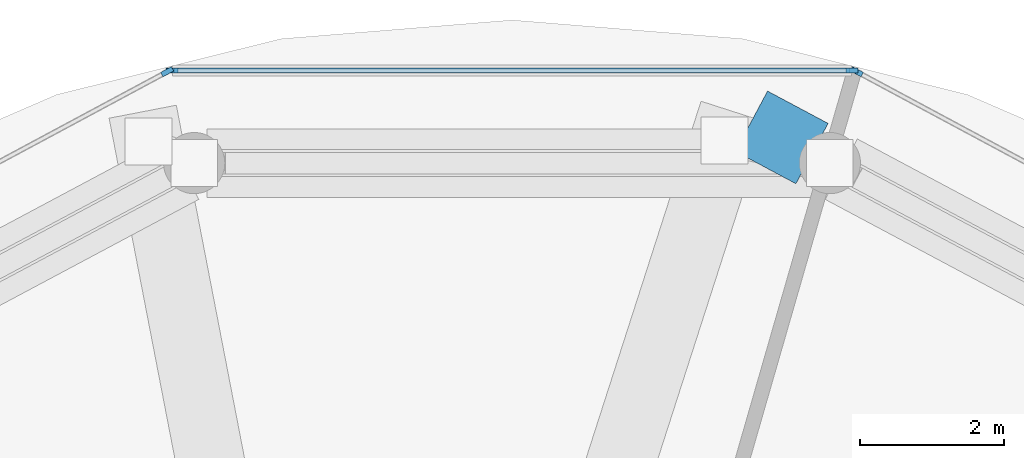
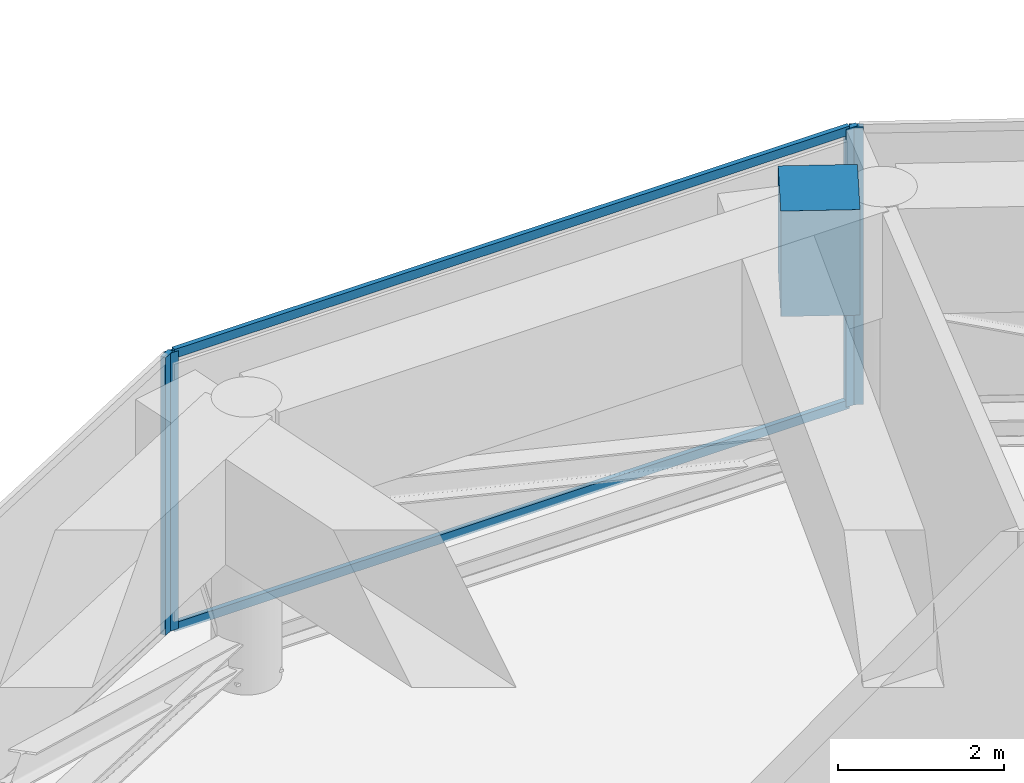
# One storey, part 9 of 23: 6 members, 1 beam, 3 elements without a shape of their own.
"""IFC4 building model written with IfcOpenShell, lengths in metres."""

from ifc_helpers import new_model, si_unit, direction, frame, origin, origin_2d, place, context, subcontext, project, spatial, rectangle, extrude, source, transform, mapped, material, layer, layer_set, material_profile, profile_set, type_object, type_shapes, element, aggregate, save


model = new_model("IFC4")

# Units and contexts
model_context = context("Model", 3, precision=1e-05, world=origin(), true_north=direction((0.0, 1.0)))
body_context = subcontext(model_context, "Body", "Model", "MODEL_VIEW")
ifc_project = project(units=[si_unit("LENGTHUNIT", "METRE"), si_unit("AREAUNIT", "SQUARE_METRE"), si_unit("VOLUMEUNIT", "CUBIC_METRE"), si_unit("PLANEANGLEUNIT", "RADIAN"), si_unit("MASSUNIT", "GRAM", prefix="KILO")], contexts=[model_context])

# Site, building, storey
site_placement = place(None, origin())
site = spatial("IfcSite", under=ifc_project, at=site_placement, CompositionType="ELEMENT")
building_placement = place(site_placement, origin())
building = spatial("IfcBuilding", under=site, at=building_placement, Name="Norrkilde Senior Care Towers", CompositionType="ELEMENT")
storey_placement = place(building_placement, frame((0.0, 0.0, 129.800048828125)))
storey = spatial("IfcBuildingStorey", under=building, at=storey_placement, Name="L40", CompositionType="ELEMENT", Elevation=129.800048828125)

# Beam
ifc_material_1 = material(Name="Concrete C60/75", Category="concrete")
ifc_material_profile_1 = material_profile(ifc_material_1, rectangle(XDim=0.949951171875, YDim=1.550048828125, at=origin_2d()), Name="RC TG 950x1550")
ifc_profile_set_1 = profile_set([ifc_material_profile_1], Name="Concrete C60/75")
beam_type = type_object("IfcBeamType", Name="Transfer Girder Zone Shift 950x1550", PredefinedType="USERDEFINED", material=ifc_profile_set_1)
shared_shape_1 = source(origin(), body_context, "Body", "SweptSolid", [
    extrude(rectangle(XDim=0.949951171875, YDim=1.550048828125, at=origin_2d()), origin(), (0.0, 0.0, 1.0), 0.953857421875),
])
type_shapes(beam_type, [shared_shape_1])
beam_placement = place(storey_placement, frame((-22.625732421875, 15.79443359375, 3.304931640625), z_axis=(0.882182855478, -0.470907007276, 0.0), x_axis=(0.470907007276, 0.882182855478, 0.0)))
element("IfcBeam", 1, at=beam_placement, inside=storey, type_object=beam_type, Name="L40 Drum W Zone Star Transfer Tie 03", ObjectType="GIRDER", PredefinedType="USERDEFINED", context=body_context, shape_type="MappedRepresentation", body=[
    mapped(shared_shape_1, transform((0.0, 0.0, 0.0), x_axis=(1.0, 0.0, 0.0), y_axis=(0.0, 1.0, 0.0), z_axis=(0.0, 0.0, 1.0), scale=1.0)),
])

# Curtain wall, member
ifc_material_2 = material(Name="Triple Low-E Insulated Glazing", Category="glass")
ifc_layer = layer(ifc_material_2, 0.18505859375)
ifc_layer_set = layer_set([ifc_layer], Name="Triple Low-E Insulated Glazing")
curtain_wall_type = type_object("IfcCurtainWallType", Name="CW6 Zone 4 Crown Pavilion Curtain Wall", PredefinedType="NOTDEFINED", material=ifc_layer_set)
curtain_wall_1_placement = place(storey_placement, origin())
curtain_wall_1 = element("IfcCurtainWall", 2, at=curtain_wall_1_placement, inside=storey, type_object=curtain_wall_type, Name="L40 Drum W Curtain Wall 01", PredefinedType="NOTDEFINED")
ifc_material_3 = material(Name="Anodised Aluminium", Category="aluminium")
ifc_material_profile_2 = material_profile(ifc_material_3, rectangle(XDim=0.070068359375, YDim=0.169921875, at=origin_2d()), Name="ALU MULL 70x170")
ifc_profile_set_2 = profile_set([ifc_material_profile_2], Name="Anodised Aluminium")
member_type_1 = type_object("IfcMemberType", Name="Curtain Wall Mullion Heavy 70x170", PredefinedType="MULLION", material=ifc_profile_set_2)
shared_shape_2 = source(origin(), body_context, "Body", "SweptSolid", [
    extrude(rectangle(XDim=0.070068359375, YDim=0.169921875, at=origin_2d()), origin(), (0.0, 0.0, 1.0), 4.079833984375),
])
type_shapes(member_type_1, [shared_shape_2])
member_1_placement = place(storey_placement, frame((-21.162109375, 16.4814453125, 0.0), z_axis=(0.0, 0.0, 1.0), x_axis=(0.472769402511, 0.881186184668, 0.0)))
member_1 = element("IfcMember", 3, at=member_1_placement, type_object=member_type_1, Name="CW-6 mullion 1", PredefinedType="MULLION", context=body_context, shape_type="MappedRepresentation", body=[
    mapped(shared_shape_2, transform((0.0, 0.0, 0.0), x_axis=(1.0, 0.0, 0.0), y_axis=(0.0, 1.0, 0.0), z_axis=(0.0, 0.0, 1.0), scale=1.0)),
])
aggregate(curtain_wall_1, [member_1])

# Curtain wall, members
curtain_wall_2_placement = place(storey_placement, origin())
curtain_wall_2 = element("IfcCurtainWall", 4, at=curtain_wall_2_placement, inside=storey, type_object=curtain_wall_type, Name="L40 Drum W Curtain Wall 02", PredefinedType="NOTDEFINED")
member_2_placement = place(storey_placement, frame((-30.672119140625, 16.498046875, 0.0), z_axis=(0.0, 0.0, 1.0), x_axis=(0.0, 1.0, 0.0)))
member_2 = element("IfcMember", 5, at=member_2_placement, type_object=member_type_1, Name="CW-6 mullion 1", PredefinedType="MULLION", context=body_context, shape_type="MappedRepresentation", body=[
    mapped(shared_shape_2, transform((0.0, 0.0, 0.0), x_axis=(1.0, 0.0, 0.0), y_axis=(0.0, 1.0, 0.0), z_axis=(0.0, 0.0, 1.0), scale=1.0)),
])
member_3_placement = place(storey_placement, frame((-21.22802734375, 16.498046875, 0.0), z_axis=(0.0, 0.0, 1.0), x_axis=(0.0, 1.0, 0.0)))
member_3 = element("IfcMember", 6, at=member_3_placement, type_object=member_type_1, Name="CW-6 mullion 2", PredefinedType="MULLION", context=body_context, shape_type="MappedRepresentation", body=[
    mapped(shared_shape_2, transform((0.0, 0.0, 0.0), x_axis=(1.0, 0.0, 0.0), y_axis=(0.0, 1.0, 0.0), z_axis=(0.0, 0.0, 1.0), scale=1.0)),
])

# Curtain wall, member
curtain_wall_3_placement = place(storey_placement, origin())
curtain_wall_3 = element("IfcCurtainWall", 7, at=curtain_wall_3_placement, inside=storey, type_object=curtain_wall_type, Name="L40 Drum W Curtain Wall 03", PredefinedType="NOTDEFINED")
member_4_placement = place(storey_placement, frame((-30.738037109375, 16.4814453125, 0.0), z_axis=(0.0, 0.0, 1.0), x_axis=(-0.472769402511, 0.881186184668, 0.0)))
member_4 = element("IfcMember", 8, at=member_4_placement, type_object=member_type_1, Name="CW-6 mullion 2", PredefinedType="MULLION", context=body_context, shape_type="MappedRepresentation", body=[
    mapped(shared_shape_2, transform((0.0, 0.0, 0.0), x_axis=(1.0, 0.0, 0.0), y_axis=(0.0, 1.0, 0.0), z_axis=(0.0, 0.0, 1.0), scale=1.0)),
])
aggregate(curtain_wall_3, [member_4])

# Member
ifc_material_profile_3 = material_profile(ifc_material_3, rectangle(XDim=0.06494140625, YDim=0.1298828125, at=origin_2d()), Name="ALU TRAN 65x130")
ifc_profile_set_3 = profile_set([ifc_material_profile_3], Name="Anodised Aluminium")
member_type_2 = type_object("IfcMemberType", Name="Curtain Wall Transom Heavy 65x130", PredefinedType="USERDEFINED", material=ifc_profile_set_3)
shared_shape_3 = source(origin(), body_context, "Body", "SweptSolid", [
    extrude(rectangle(XDim=0.06494140625, YDim=0.1298828125, at=origin_2d()), origin(), (0.0, 0.0, 1.0), 9.374267578125),
])
type_shapes(member_type_2, [shared_shape_3])
member_5_placement = place(storey_placement, frame((-30.63720703125, 16.498046875, 0.032470703125), z_axis=(1.0, 0.0, 0.0), x_axis=(0.0, 1.0, 0.0)))
member_5 = element("IfcMember", 9, at=member_5_placement, type_object=member_type_2, Name="CW-6 transom 1.1", ObjectType="TRANSOM", PredefinedType="USERDEFINED", context=body_context, shape_type="MappedRepresentation", body=[
    mapped(shared_shape_3, transform((0.0, 0.0, 0.0), x_axis=(1.0, 0.0, 0.0), y_axis=(0.0, 1.0, 0.0), z_axis=(0.0, 0.0, 1.0), scale=1.0)),
])

member_6_placement = place(storey_placement, frame((-30.63720703125, 16.498046875, 4.04736328125), z_axis=(1.0, 0.0, 0.0), x_axis=(0.0, 1.0, 0.0)))
member_6 = element("IfcMember", 10, at=member_6_placement, type_object=member_type_2, Name="CW-6 transom 1.2", ObjectType="TRANSOM", PredefinedType="USERDEFINED", context=body_context, shape_type="MappedRepresentation", body=[
    mapped(shared_shape_3, transform((0.0, 0.0, 0.0), x_axis=(1.0, 0.0, 0.0), y_axis=(0.0, 1.0, 0.0), z_axis=(0.0, 0.0, 1.0), scale=1.0)),
])

aggregate(curtain_wall_2, [member_2, member_3, member_5, member_6])

save(model, "model.ifc")
